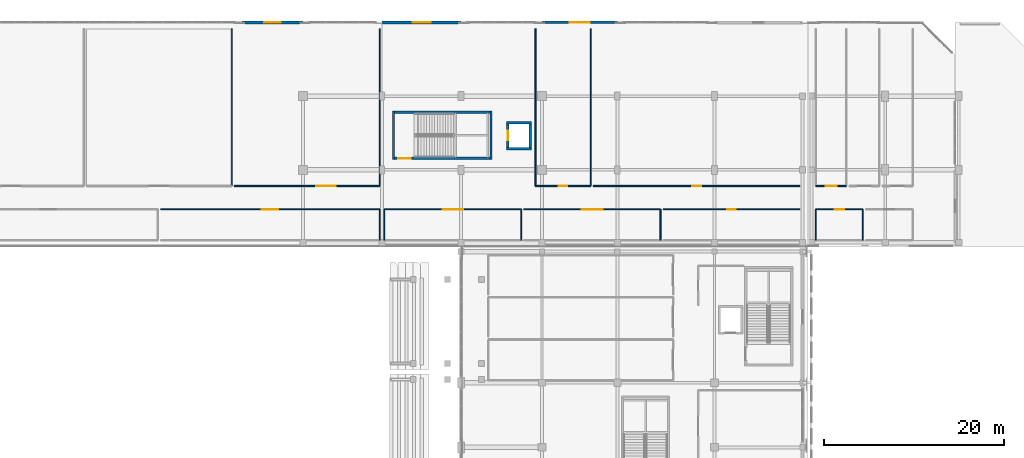
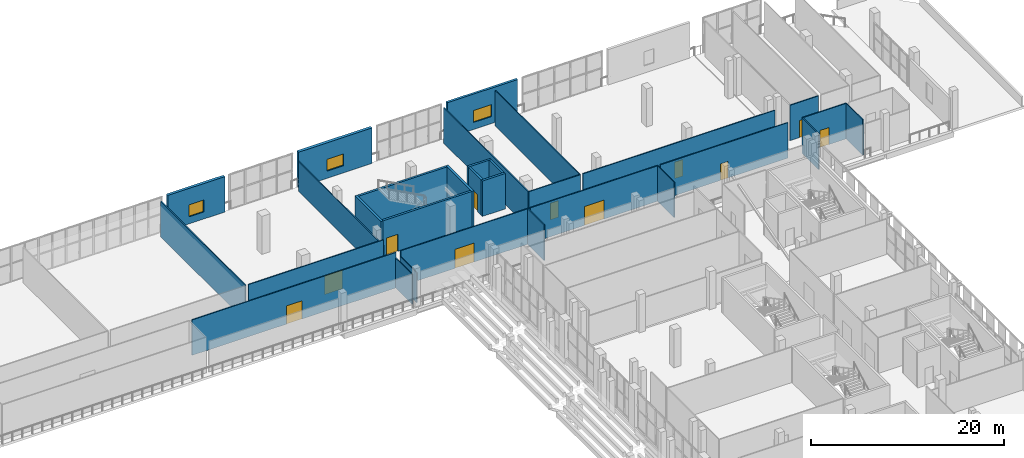
# One storey, part 104 of 142: 30 walls, 11 doors, 3 windows, 14 openings.
"""IFC4 building model written with IfcOpenShell, lengths in metres."""

from ifc_helpers import new_model, si_unit, direction, frame, frame_2d, origin, place, context, subcontext, project, spatial, rectangle, extrude, material, layer, layer_set, type_object, element, fill, save


model = new_model("IFC4")

# Units and contexts
model_context = context("Model", 3, precision=1e-05, world=origin(), true_north=direction((0.0, 1.0)))
body_context = subcontext(model_context, "Body", "Model", "MODEL_VIEW")
ifc_project = project(units=[si_unit("LENGTHUNIT", "METRE"), si_unit("AREAUNIT", "SQUARE_METRE"), si_unit("VOLUMEUNIT", "CUBIC_METRE"), si_unit("PLANEANGLEUNIT", "RADIAN"), si_unit("MASSUNIT", "GRAM", prefix="KILO")], contexts=[model_context])

# Site, building, storey
site_placement = place(None, origin())
site = spatial("IfcSite", under=ifc_project, at=site_placement, CompositionType="ELEMENT")
building_placement = place(site_placement, origin())
building = spatial("IfcBuilding", under=site, at=building_placement, Name="Koshinbarg Plaza Stadium", CompositionType="ELEMENT")
storey_placement = place(building_placement, frame((0.0, 0.0, 10.199951171875)))
storey = spatial("IfcBuildingStorey", under=building, at=storey_placement, Name="L02", CompositionType="ELEMENT", Elevation=10.199951171875)

# Walls
ifc_material_1 = material(Name="Concrete C40/50", Category="concrete")
ifc_layer_1 = layer(ifc_material_1, 0.25)
ifc_layer_set_1 = layer_set([ifc_layer_1], Name="Concrete C40/50")
wall_type_1 = type_object("IfcWallType", Name="WL-CORE-250", PredefinedType="SHEAR", material=ifc_layer_set_1)
for number, where, z_axis, x_axis, name in (
    (1, (172.875, 142.1201171875, 0.0), (0.0, 0.0, 1.0), (0.0, -1.0, 0.0), "L02 core stair shear wall C12-near IWL-L02-0282"),
    (2, (183.72509765625, 136.75, 0.0), (0.0, 0.0, 1.0), (0.0, 1.0, 0.0), "L02 core stair shear wall C12-far IWL-L02-0283"),
):
    element("IfcWall", number, at=place(storey_placement, frame(where, z_axis=z_axis, x_axis=x_axis)), inside=storey, type_object=wall_type_1, Name=name, PredefinedType="SHEAR", context=body_context, shape_type="SweptSolid", body=[
        extrude(rectangle(XDim=5.3701171875, YDim=0.25, at=frame_2d((2.68505859375, 0.0))), origin(), (0.0, 0.0, 1.0), 4.47998046875),
    ])
wall_1_placement = place(storey_placement, frame((172.875, 141.9951171875, 0.0), z_axis=(0.0, 0.0, 1.0), x_axis=(1.0, 0.0, 0.0)))
element("IfcWall", 3, at=wall_1_placement, inside=storey, type_object=wall_type_1, Name="L02 core stair shear wall C12-left IWL-L02-0284", PredefinedType="SHEAR", context=body_context, shape_type="SweptSolid", body=[
    extrude(rectangle(XDim=10.85009765625, YDim=0.25, at=frame_2d((5.425048828125, 0.0))), origin(), (0.0, 0.0, 1.0), 4.47998046875),
])

# Wall, opening, door
wall_2_placement = place(storey_placement, frame((172.875, 136.875, 0.0), z_axis=(0.0, 0.0, 1.0), x_axis=(1.0, 0.0, 0.0)))
wall_2 = element("IfcWall", 4, at=wall_2_placement, inside=storey, type_object=wall_type_1, Name="L02 core stair shear wall C12-right IWL-L02-0285", PredefinedType="SHEAR", context=body_context, shape_type="SweptSolid", body=[
    extrude(rectangle(XDim=10.85009765625, YDim=0.25, at=frame_2d((5.425048828125, 0.0))), origin(), (0.0, 0.0, 1.0), 4.47998046875),
])
opening_1_placement = place(wall_2_placement, frame((0.52001953125, 0.0, 0.0)))
opening_1 = element("IfcOpeningElement", 5, at=opening_1_placement, cuts=wall_2, Name="Opening D-0133", PredefinedType="OPENING", context=body_context, shape_type="SweptSolid", body=[
    extrude(rectangle(XDim=1.39990234375, YDim=2.14990234375, at=frame_2d((0.699951171875, 1.074951171875))), frame((0.0, 0.135009765625, 0.0), z_axis=(0.0, -1.0, 0.0), x_axis=(1.0, 0.0, 0.0)), (0.0, 0.0, 1.0), 0.27001953125),
])
ifc_material_2 = material(Name="Painted galvanized steel fire door", Category="steel")
door_type_1 = type_object("IfcDoorType", Name="DR-STAIR-1400", OperationType="NOTDEFINED", PredefinedType="DOOR", material=ifc_material_2)
door_1_placement = place(opening_1_placement, origin())
door_1 = element("IfcDoor", 6, at=door_1_placement, inside=storey, type_object=door_type_1, Name="L02 exit stair door C12", OperationType="SINGLE_SWING_LEFT", OverallHeight=2.14990234375, OverallWidth=1.39990234375, PredefinedType="DOOR", context=body_context, shape_type="SweptSolid", body=[
    extrude(rectangle(XDim=1.39990234375, YDim=2.14990234375, at=frame_2d((0.699951171875, 1.074951171875))), frame((0.0, 0.02490234375, 0.0), z_axis=(0.0, -1.0, 0.0), x_axis=(1.0, 0.0, 0.0)), (0.0, 0.0, 1.0), 0.050048828125),
])
fill(opening_1, door_1)

# Walls
for number, where, z_axis, x_axis, name in (
    (7, (185.47509765625, 137.949951171875, 0.0), (0.0, 0.0, 1.0), (1.0, 0.0, 0.0), "L02 lift shaft shear wall LP08-S IWL-L02-0982"),
    (8, (188.22509765625, 140.85009765625, 0.0), (0.0, 0.0, 1.0), (-1.0, 0.0, 0.0), "L02 lift shaft shear wall LP08-N IWL-L02-0983"),
):
    element("IfcWall", number, at=place(storey_placement, frame(where, z_axis=z_axis, x_axis=x_axis)), inside=storey, type_object=wall_type_1, Name=name, PredefinedType="SHEAR", context=body_context, shape_type="SweptSolid", body=[
        extrude(rectangle(XDim=2.75, YDim=0.25, at=frame_2d((1.375, 0.0))), origin(), (0.0, 0.0, 1.0), 4.47998046875),
    ])

# Wall, opening, door
wall_3_placement = place(storey_placement, frame((185.60009765625, 140.85009765625, 0.0), z_axis=(0.0, 0.0, 1.0), x_axis=(0.0, -1.0, 0.0)))
wall_3 = element("IfcWall", 9, at=wall_3_placement, inside=storey, type_object=wall_type_1, Name="L02 lift shaft shear wall LP08-W IWL-L02-0984", PredefinedType="SHEAR", context=body_context, shape_type="SweptSolid", body=[
    extrude(rectangle(XDim=2.900146484375, YDim=0.25, at=frame_2d((1.4501953125, 0.0))), origin(), (0.0, 0.0, 1.0), 4.47998046875),
])
opening_2_placement = place(wall_3_placement, frame((0.925048828125, 0.0, 0.0)))
opening_2 = element("IfcOpeningElement", 10, at=opening_2_placement, cuts=wall_3, Name="Opening D-0315", PredefinedType="OPENING", context=body_context, shape_type="SweptSolid", body=[
    extrude(rectangle(XDim=1.050048828125, YDim=2.14990234375, at=frame_2d((0.52490234375, 1.074951171875))), frame((0.0, 0.135009765625, 0.0), z_axis=(0.0, -1.0, 0.0), x_axis=(1.0, 0.0, 0.0)), (0.0, 0.0, 1.0), 0.27001953125),
])
ifc_material_3 = material(Name="Brushed stainless steel sliding lift landing door", Category="steel")
door_type_2 = type_object("IfcDoorType", Name="DR-LIFT-1050", OperationType="NOTDEFINED", PredefinedType="DOOR", material=ifc_material_3)
door_2_placement = place(opening_2_placement, origin())
door_2 = element("IfcDoor", 11, at=door_2_placement, inside=storey, type_object=door_type_2, Name="L02 lift landing door LP08", OperationType="SLIDING_TO_LEFT", OverallHeight=2.14990234375, OverallWidth=1.050048828125, PredefinedType="DOOR", context=body_context, shape_type="SweptSolid", body=[
    extrude(rectangle(XDim=1.050048828125, YDim=2.14990234375, at=frame_2d((0.52490234375, 1.074951171875))), frame((0.0, 0.02490234375, 0.0), z_axis=(0.0, -1.0, 0.0), x_axis=(1.0, 0.0, 0.0)), (0.0, 0.0, 1.0), 0.050048828125),
])
fill(opening_2, door_2)

# Wall
wall_4_placement = place(storey_placement, frame((188.10009765625, 137.949951171875, 0.0), z_axis=(0.0, 0.0, 1.0), x_axis=(0.0, 1.0, 0.0)))
element("IfcWall", 12, at=wall_4_placement, inside=storey, type_object=wall_type_1, Name="L02 lift shaft shear wall LP08-E IWL-L02-0985", PredefinedType="SHEAR", context=body_context, shape_type="SweptSolid", body=[
    extrude(rectangle(XDim=2.900146484375, YDim=0.25, at=frame_2d((1.4501953125, 0.0))), origin(), (0.0, 0.0, 1.0), 4.47998046875),
])

# Wall, opening, window
ifc_material_4 = material(Name="Terracotta-ochre mineral plaster insulated wall", Category="masonry")
ifc_layer_2 = layer(ifc_material_4, 0.280029296875)
ifc_layer_set_2 = layer_set([ifc_layer_2], Name="Terracotta-ochre mineral plaster insulated wall")
wall_type_2 = type_object("IfcWallType", Name="WL-EXT-280", PredefinedType="SOLIDWALL", material=ifc_layer_set_2)
wall_5_placement = place(storey_placement, frame((189.39990234375, 152.0, 0.0), z_axis=(0.0, 0.0, 1.0), x_axis=(1.0, 0.0, 0.0)))
wall_5 = element("IfcWall", 13, at=wall_5_placement, inside=storey, type_object=wall_type_2, Name="L02 exterior envelope wall EWL-L02-0124", PredefinedType="SOLIDWALL", context=body_context, shape_type="SweptSolid", body=[
    extrude(rectangle(XDim=8.400146484375, YDim=0.280029296875, at=frame_2d((4.2001953125, 0.0))), origin(), (0.0, 0.0, 1.0), 4.47998046875),
])
opening_3_placement = place(wall_5_placement, frame((3.10009765625, 0.0, 0.89990234375)))
opening_3 = element("IfcOpeningElement", 14, at=opening_3_placement, cuts=wall_5, Name="Opening WN06", PredefinedType="OPENING", context=body_context, shape_type="SweptSolid", body=[
    extrude(rectangle(XDim=2.199951171875, YDim=1.5, at=frame_2d((1.10009765625, 0.75))), frame((0.0, 0.14990234375, 0.0), z_axis=(0.0, -1.0, 0.0), x_axis=(1.0, 0.0, 0.0)), (0.0, 0.0, 1.0), 0.300048828125),
])
ifc_material_5 = material(Name="Solar-control double glazing in thermally broken aluminium frame", Category="aluminium")
window_type_1 = type_object("IfcWindowType", Name="WN-FAC-06", PartitioningType="DOUBLE_PANEL_VERTICAL", PredefinedType="WINDOW", material=ifc_material_5)
window_1_placement = place(opening_3_placement, origin())
window_1 = element("IfcWindow", 15, at=window_1_placement, inside=storey, type_object=window_type_1, Name="L02 facade window 0061", OverallHeight=1.5, OverallWidth=2.199951171875, PartitioningType="SINGLE_PANEL", PredefinedType="WINDOW", context=body_context, shape_type="SweptSolid", body=[
    extrude(rectangle(XDim=2.199951171875, YDim=1.5, at=frame_2d((1.10009765625, 0.75))), frame((0.0, 0.030029296875, 0.0), z_axis=(0.0, -1.0, 0.0), x_axis=(1.0, 0.0, 0.0)), (0.0, 0.0, 1.0), 0.06005859375),
])
fill(opening_3, window_1)

ifc_material_6 = material(Name="Ultramarine-blue pigmented mineral plaster facade wall", Category="masonry")
ifc_layer_3 = layer(ifc_material_6, 0.320068359375)
ifc_layer_set_3 = layer_set([ifc_layer_3], Name="Ultramarine-blue pigmented mineral plaster facade wall")
wall_type_3 = type_object("IfcWallType", Name="WL-EXT-320", PredefinedType="SOLIDWALL", material=ifc_layer_set_3)
wall_6_placement = place(storey_placement, frame((156.0, 152.0, 0.0), z_axis=(0.0, 0.0, 1.0), x_axis=(1.0, 0.0, 0.0)))
wall_6 = element("IfcWall", 16, at=wall_6_placement, inside=storey, type_object=wall_type_3, Name="L02 exterior envelope wall EWL-L02-0122", PredefinedType="SOLIDWALL", context=body_context, shape_type="SweptSolid", body=[
    extrude(rectangle(XDim=6.800048828125, YDim=0.320068359375, at=frame_2d((3.39990234375, 0.0))), origin(), (0.0, 0.0, 1.0), 4.47998046875),
])
opening_4_placement = place(wall_6_placement, frame((2.5, 0.0, 0.89990234375)))
opening_4 = element("IfcOpeningElement", 17, at=opening_4_placement, cuts=wall_6, Name="Opening WN04", PredefinedType="OPENING", context=body_context, shape_type="SweptSolid", body=[
    extrude(rectangle(XDim=1.800048828125, YDim=1.5, at=frame_2d((0.89990234375, 0.75))), frame((0.0, 0.169921875, 0.0), z_axis=(0.0, -1.0, 0.0), x_axis=(1.0, 0.0, 0.0)), (0.0, 0.0, 1.0), 0.340087890625),
])
window_type_2 = type_object("IfcWindowType", Name="WN-FAC-04", PartitioningType="DOUBLE_PANEL_VERTICAL", PredefinedType="WINDOW", material=ifc_material_5)
window_2_placement = place(opening_4_placement, origin())
window_2 = element("IfcWindow", 18, at=window_2_placement, inside=storey, type_object=window_type_2, Name="L02 facade window 0059", OverallHeight=1.5, OverallWidth=1.800048828125, PartitioningType="SINGLE_PANEL", PredefinedType="WINDOW", context=body_context, shape_type="SweptSolid", body=[
    extrude(rectangle(XDim=1.800048828125, YDim=1.5, at=frame_2d((0.89990234375, 0.75))), frame((0.0, 0.030029296875, 0.0), z_axis=(0.0, -1.0, 0.0), x_axis=(1.0, 0.0, 0.0)), (0.0, 0.0, 1.0), 0.06005859375),
])
fill(opening_4, window_2)

ifc_material_7 = material(Name="Acoustic insulated masonry stadium wall", Category="masonry")
ifc_layer_4 = layer(ifc_material_7, 0.35009765625)
ifc_layer_set_4 = layer_set([ifc_layer_4], Name="Acoustic insulated masonry stadium wall")
wall_type_4 = type_object("IfcWallType", Name="WL-EXT-350", PredefinedType="SOLIDWALL", material=ifc_layer_set_4)
wall_7_placement = place(storey_placement, frame((171.60009765625, 152.0, 0.0), z_axis=(0.0, 0.0, 1.0), x_axis=(1.0, 0.0, 0.0)))
wall_7 = element("IfcWall", 19, at=wall_7_placement, inside=storey, type_object=wall_type_4, Name="L02 exterior envelope wall EWL-L02-0123", PredefinedType="SOLIDWALL", context=body_context, shape_type="SweptSolid", body=[
    extrude(rectangle(XDim=8.7998046875, YDim=0.35009765625, at=frame_2d((4.39990234375, 0.0))), origin(), (0.0, 0.0, 1.0), 4.47998046875),
])
opening_5_placement = place(wall_7_placement, frame((3.39990234375, 0.0, 0.89990234375)))
opening_5 = element("IfcOpeningElement", 20, at=opening_5_placement, cuts=wall_7, Name="Opening WN05", PredefinedType="OPENING", context=body_context, shape_type="SweptSolid", body=[
    extrude(rectangle(XDim=2.0, YDim=1.5, at=frame_2d((1.0, 0.75))), frame((0.0, 0.18505859375, 0.0), z_axis=(0.0, -1.0, 0.0), x_axis=(1.0, 0.0, 0.0)), (0.0, 0.0, 1.0), 0.3701171875),
])
window_type_3 = type_object("IfcWindowType", Name="WN-FAC-05", PartitioningType="DOUBLE_PANEL_VERTICAL", PredefinedType="WINDOW", material=ifc_material_5)
window_3_placement = place(opening_5_placement, origin())
window_3 = element("IfcWindow", 21, at=window_3_placement, inside=storey, type_object=window_type_3, Name="L02 facade window 0060", OverallHeight=1.5, OverallWidth=2.0, PartitioningType="SINGLE_PANEL", PredefinedType="WINDOW", context=body_context, shape_type="SweptSolid", body=[
    extrude(rectangle(XDim=2.0, YDim=1.5, at=frame_2d((1.0, 0.75))), frame((0.0, 0.030029296875, 0.0), z_axis=(0.0, -1.0, 0.0), x_axis=(1.0, 0.0, 0.0)), (0.0, 0.0, 1.0), 0.06005859375),
])
fill(opening_5, window_3)

# Wall
ifc_material_8 = material(Name="Gypsum board metal-stud acoustic partition")
ifc_layer_5 = layer(ifc_material_8, 0.1201171875)
ifc_layer_set_5 = layer_set([ifc_layer_5], Name="Gypsum board metal-stud acoustic partition")
wall_type_5 = type_object("IfcWallType", Name="WL-PART-120", PredefinedType="PARTITIONING", material=ifc_layer_set_5)
wall_8_placement = place(storey_placement, frame((171.330078125, 127.7451171875, 0.0), z_axis=(0.0, 0.0, 1.0), x_axis=(0.0, 1.0, 0.0)))
element("IfcWall", 22, at=wall_8_placement, inside=storey, type_object=wall_type_5, Name="L02 interior partition L02-113-east IWL-L02-1773", PredefinedType="PARTITIONING", context=body_context, shape_type="SweptSolid", body=[
    extrude(rectangle(XDim=3.454833984375, YDim=0.1201171875, at=frame_2d((1.7275390625, 0.0))), origin(), (0.0, 0.0, 1.0), 3.760009765625),
])

# Wall, opening, door
wall_9_placement = place(storey_placement, frame((171.330078125, 131.199951171875, 0.0), z_axis=(0.0, 0.0, 1.0), x_axis=(-1.0, 0.0, 0.0)))
wall_9 = element("IfcWall", 23, at=wall_9_placement, inside=storey, type_object=wall_type_5, Name="L02 interior partition L02-113-north IWL-L02-1774", PredefinedType="PARTITIONING", context=body_context, shape_type="SweptSolid", body=[
    extrude(rectangle(XDim=24.380126953125, YDim=0.1201171875, at=frame_2d((12.18994140625, 0.0))), origin(), (0.0, 0.0, 1.0), 4.47998046875),
])
opening_6_placement = place(wall_9_placement, frame((11.260009765625, 0.0, 0.0)))
opening_6 = element("IfcOpeningElement", 24, at=opening_6_placement, cuts=wall_9, Name="Opening D-0600", PredefinedType="OPENING", context=body_context, shape_type="SweptSolid", body=[
    extrude(rectangle(XDim=1.860107421875, YDim=2.300048828125, at=frame_2d((0.93017578125, 1.14990234375))), frame((0.0, 0.070068359375, 0.0), z_axis=(0.0, -1.0, 0.0), x_axis=(1.0, 0.0, 0.0)), (0.0, 0.0, 1.0), 0.14013671875),
])
ifc_material_9 = material(Name="Acoustic solid-core walnut veneer fire door")
door_type_3 = type_object("IfcDoorType", Name="DR-INT-1860x2300", OperationType="NOTDEFINED", PredefinedType="DOOR", material=ifc_material_9)
door_3_placement = place(opening_6_placement, origin())
door_3 = element("IfcDoor", 25, at=door_3_placement, inside=storey, type_object=door_type_3, Name="L02 Olympic Medal Salon door D-0600", OperationType="DOUBLE_DOOR_SINGLE_SWING", OverallHeight=2.300048828125, OverallWidth=1.860107421875, PredefinedType="DOOR", context=body_context, shape_type="SweptSolid", body=[
    extrude(rectangle(XDim=1.860107421875, YDim=2.300048828125, at=frame_2d((0.93017578125, 1.14990234375))), frame((0.0, 0.02490234375, 0.0), z_axis=(0.0, -1.0, 0.0), x_axis=(1.0, 0.0, 0.0)), (0.0, 0.0, 1.0), 0.050048828125),
])
fill(opening_6, door_3)

# Wall
wall_10_placement = place(storey_placement, frame((154.876708984375, 133.800048828125, 0.0), z_axis=(0.0, 0.0, 1.0), x_axis=(0.0, 1.0, 0.0)))
element("IfcWall", 26, at=wall_10_placement, inside=storey, type_object=wall_type_5, Name="L02 interior partition L02-115-east IWL-L02-1779", PredefinedType="PARTITIONING", context=body_context, shape_type="SweptSolid", body=[
    extrude(rectangle(XDim=17.5, YDim=0.1201171875, at=frame_2d((8.75, 0.0))), origin(), (0.0, 0.0, 1.0), 4.47998046875),
])

# Wall, opening, door
wall_11_placement = place(storey_placement, frame((155.1767578125, 133.800048828125, 0.0), z_axis=(0.0, 0.0, 1.0), x_axis=(1.0, 0.0, 0.0)))
wall_11 = element("IfcWall", 27, at=wall_11_placement, inside=storey, type_object=wall_type_5, Name="L02 interior partition L02-116-south IWL-L02-1780", PredefinedType="PARTITIONING", context=body_context, shape_type="SweptSolid", body=[
    extrude(rectangle(XDim=16.1533203125, YDim=0.1201171875, at=frame_2d((8.07666015625, 0.0))), origin(), (0.0, 0.0, 1.0), 4.47998046875),
])
opening_7_placement = place(wall_11_placement, frame((9.12353515625, 0.0, 0.0)))
opening_7 = element("IfcOpeningElement", 28, at=opening_7_placement, cuts=wall_11, Name="Opening D-0603", PredefinedType="OPENING", context=body_context, shape_type="SweptSolid", body=[
    extrude(rectangle(XDim=2.159912109375, YDim=2.35009765625, at=frame_2d((1.080078125, 1.175048828125))), frame((0.0, 0.070068359375, 0.0), z_axis=(0.0, -1.0, 0.0), x_axis=(1.0, 0.0, 0.0)), (0.0, 0.0, 1.0), 0.14013671875),
])
ifc_material_10 = material(Name="Galvanized painted steel double leaf door", Category="steel")
door_type_4 = type_object("IfcDoorType", Name="DR-INT-2160x2350", OperationType="NOTDEFINED", PredefinedType="DOOR", material=ifc_material_10)
door_4_placement = place(opening_7_placement, origin())
door_4 = element("IfcDoor", 29, at=door_4_placement, inside=storey, type_object=door_type_4, Name="L02 North Club Lounge door D-0603", OperationType="DOUBLE_DOOR_SINGLE_SWING", OverallHeight=2.35009765625, OverallWidth=2.159912109375, PredefinedType="DOOR", context=body_context, shape_type="SweptSolid", body=[
    extrude(rectangle(XDim=2.159912109375, YDim=2.35009765625, at=frame_2d((1.080078125, 1.175048828125))), frame((0.0, 0.02490234375, 0.0), z_axis=(0.0, -1.0, 0.0), x_axis=(1.0, 0.0, 0.0)), (0.0, 0.0, 1.0), 0.050048828125),
])
fill(opening_7, door_4)

# Walls
wall_12_placement = place(storey_placement, frame((171.330078125, 133.800048828125, 0.0), z_axis=(0.0, 0.0, 1.0), x_axis=(0.0, 1.0, 0.0)))
element("IfcWall", 30, at=wall_12_placement, inside=storey, type_object=wall_type_5, Name="L02 interior partition L02-116-east IWL-L02-1781", PredefinedType="PARTITIONING", context=body_context, shape_type="SweptSolid", body=[
    extrude(rectangle(XDim=17.5, YDim=0.1201171875, at=frame_2d((8.75, 0.0))), origin(), (0.0, 0.0, 1.0), 3.760009765625),
])
wall_13_placement = place(storey_placement, frame((187.081787109375, 127.7451171875, 0.0), z_axis=(0.0, 0.0, 1.0), x_axis=(0.0, 1.0, 0.0)))
element("IfcWall", 31, at=wall_13_placement, inside=storey, type_object=wall_type_5, Name="L02 interior partition L02-117-east IWL-L02-1783", PredefinedType="PARTITIONING", context=body_context, shape_type="SweptSolid", body=[
    extrude(rectangle(XDim=3.454833984375, YDim=0.1201171875, at=frame_2d((1.7275390625, 0.0))), origin(), (0.0, 0.0, 1.0), 4.47998046875),
])

# Wall, opening, door
wall_14_placement = place(storey_placement, frame((187.081787109375, 131.199951171875, 0.0), z_axis=(0.0, 0.0, 1.0), x_axis=(-1.0, 0.0, 0.0)))
wall_14 = element("IfcWall", 32, at=wall_14_placement, inside=storey, type_object=wall_type_5, Name="L02 interior partition L02-117-north IWL-L02-1784", PredefinedType="PARTITIONING", context=body_context, shape_type="SweptSolid", body=[
    extrude(rectangle(XDim=15.211669921875, YDim=0.1201171875, at=frame_2d((7.60595703125, 0.0))), origin(), (0.0, 0.0, 1.0), 4.47998046875),
])
opening_8_placement = place(wall_14_placement, frame((6.4658203125, 0.0, 0.0)))
opening_8 = element("IfcOpeningElement", 33, at=opening_8_placement, cuts=wall_14, Name="Opening D-0604", PredefinedType="OPENING", context=body_context, shape_type="SweptSolid", body=[
    extrude(rectangle(XDim=2.280029296875, YDim=2.39990234375, at=frame_2d((1.14013671875, 1.199951171875))), frame((0.0, 0.070068359375, 0.0), z_axis=(0.0, -1.0, 0.0), x_axis=(1.0, 0.0, 0.0)), (0.0, 0.0, 1.0), 0.14013671875),
])
ifc_material_11 = material(Name="Anodised aluminium and laminated glass portal door", Category="aluminium")
door_type_5 = type_object("IfcDoorType", Name="DR-INT-2280x2400", OperationType="NOTDEFINED", PredefinedType="DOOR", material=ifc_material_11)
door_5_placement = place(opening_8_placement, origin())
door_5 = element("IfcDoor", 34, at=door_5_placement, inside=storey, type_object=door_type_5, Name="L02 Olympic Medal Salon door D-0604", OperationType="DOUBLE_DOOR_SINGLE_SWING", OverallHeight=2.39990234375, OverallWidth=2.280029296875, PredefinedType="DOOR", context=body_context, shape_type="SweptSolid", body=[
    extrude(rectangle(XDim=2.280029296875, YDim=2.39990234375, at=frame_2d((1.14013671875, 1.199951171875))), frame((0.0, 0.02490234375, 0.0), z_axis=(0.0, -1.0, 0.0), x_axis=(1.0, 0.0, 0.0)), (0.0, 0.0, 1.0), 0.050048828125),
])
fill(opening_8, door_5)

# Walls
wall_15_placement = place(storey_placement, frame((171.8701171875, 131.199951171875, 0.0), z_axis=(0.0, 0.0, 1.0), x_axis=(0.0, -1.0, 0.0)))
element("IfcWall", 35, at=wall_15_placement, inside=storey, type_object=wall_type_5, Name="L02 interior partition L02-117-west IWL-L02-1785", PredefinedType="PARTITIONING", context=body_context, shape_type="SweptSolid", body=[
    extrude(rectangle(XDim=3.454833984375, YDim=0.1201171875, at=frame_2d((1.7275390625, 0.0))), origin(), (0.0, 0.0, 1.0), 3.760009765625),
])
wall_16_placement = place(storey_placement, frame((202.59326171875, 127.7451171875, 0.0), z_axis=(0.0, 0.0, 1.0), x_axis=(0.0, 1.0, 0.0)))
element("IfcWall", 36, at=wall_16_placement, inside=storey, type_object=wall_type_5, Name="L02 interior partition L02-118-east IWL-L02-1787", PredefinedType="PARTITIONING", context=body_context, shape_type="SweptSolid", body=[
    extrude(rectangle(XDim=3.454833984375, YDim=0.1201171875, at=frame_2d((1.7275390625, 0.0))), origin(), (0.0, 0.0, 1.0), 4.47998046875),
])

# Wall, opening, door
wall_17_placement = place(storey_placement, frame((202.59326171875, 131.199951171875, 0.0), z_axis=(0.0, 0.0, 1.0), x_axis=(-1.0, 0.0, 0.0)))
wall_17 = element("IfcWall", 37, at=wall_17_placement, inside=storey, type_object=wall_type_5, Name="L02 interior partition L02-118-north IWL-L02-1788", PredefinedType="PARTITIONING", context=body_context, shape_type="SweptSolid", body=[
    extrude(rectangle(XDim=15.211669921875, YDim=0.1201171875, at=frame_2d((7.60595703125, 0.0))), origin(), (0.0, 0.0, 1.0), 4.47998046875),
])
opening_9_placement = place(wall_17_placement, frame((6.42578125, 0.0, 0.0)))
opening_9 = element("IfcOpeningElement", 38, at=opening_9_placement, cuts=wall_17, Name="Opening D-0605", PredefinedType="OPENING", context=body_context, shape_type="SweptSolid", body=[
    extrude(rectangle(XDim=2.360107421875, YDim=2.39990234375, at=frame_2d((1.18017578125, 1.199951171875))), frame((0.0, 0.070068359375, 0.0), z_axis=(0.0, -1.0, 0.0), x_axis=(1.0, 0.0, 0.0)), (0.0, 0.0, 1.0), 0.14013671875),
])
ifc_material_12 = material(Name="Powder-coated steel and tempered glass double door", Category="steel")
door_type_6 = type_object("IfcDoorType", Name="DR-INT-2360x2400", OperationType="NOTDEFINED", PredefinedType="DOOR", material=ifc_material_12)
door_6_placement = place(opening_9_placement, origin())
door_6 = element("IfcDoor", 39, at=door_6_placement, inside=storey, type_object=door_type_6, Name="L02 Tashkent Sporting Archive Hall door D-0605", OperationType="DOUBLE_DOOR_SINGLE_SWING", OverallHeight=2.39990234375, OverallWidth=2.360107421875, PredefinedType="DOOR", context=body_context, shape_type="SweptSolid", body=[
    extrude(rectangle(XDim=2.360107421875, YDim=2.39990234375, at=frame_2d((1.18017578125, 1.199951171875))), frame((0.0, 0.02490234375, 0.0), z_axis=(0.0, -1.0, 0.0), x_axis=(1.0, 0.0, 0.0)), (0.0, 0.0, 1.0), 0.050048828125),
])
fill(opening_9, door_6)

wall_18_placement = place(storey_placement, frame((218.10498046875, 131.199951171875, 0.0), z_axis=(0.0, 0.0, 1.0), x_axis=(-1.0, 0.0, 0.0)))
wall_18 = element("IfcWall", 40, at=wall_18_placement, inside=storey, type_object=wall_type_5, Name="L02 interior partition L02-119-north IWL-L02-1790", PredefinedType="PARTITIONING", context=body_context, shape_type="SweptSolid", body=[
    extrude(rectangle(XDim=15.211669921875, YDim=0.1201171875, at=frame_2d((7.60595703125, 0.0))), origin(), (0.0, 0.0, 1.0), 4.47998046875),
])
opening_10_placement = place(wall_18_placement, frame((7.145751953125, 0.0, 0.0)))
opening_10 = element("IfcOpeningElement", 41, at=opening_10_placement, cuts=wall_18, Name="Opening D-0606", PredefinedType="OPENING", context=body_context, shape_type="SweptSolid", body=[
    extrude(rectangle(XDim=0.919921875, YDim=2.10009765625, at=frame_2d((0.4599609375, 1.050048828125))), frame((0.0, 0.070068359375, 0.0), z_axis=(0.0, -1.0, 0.0), x_axis=(1.0, 0.0, 0.0)), (0.0, 0.0, 1.0), 0.14013671875),
])
ifc_material_13 = material(Name="Solid-core oak veneer acoustic door")
door_type_7 = type_object("IfcDoorType", Name="DR-INT-0920x2100", OperationType="NOTDEFINED", PredefinedType="DOOR", material=ifc_material_13)
door_7_placement = place(opening_10_placement, origin())
door_7 = element("IfcDoor", 42, at=door_7_placement, inside=storey, type_object=door_type_7, Name="L02 North Club Lounge door D-0606", OperationType="SINGLE_SWING_RIGHT", OverallHeight=2.10009765625, OverallWidth=0.919921875, PredefinedType="DOOR", context=body_context, shape_type="SweptSolid", body=[
    extrude(rectangle(XDim=0.919921875, YDim=2.10009765625, at=frame_2d((0.4599609375, 1.050048828125))), frame((0.0, 0.02490234375, 0.0), z_axis=(0.0, -1.0, 0.0), x_axis=(1.0, 0.0, 0.0)), (0.0, 0.0, 1.0), 0.050048828125),
])
fill(opening_10, door_7)

wall_19_placement = place(storey_placement, frame((188.679931640625, 133.800048828125, 0.0), z_axis=(0.0, 0.0, 1.0), x_axis=(1.0, 0.0, 0.0)))
wall_19 = element("IfcWall", 43, at=wall_19_placement, inside=storey, type_object=wall_type_5, Name="L02 interior partition L02-120-south IWL-L02-1791", PredefinedType="PARTITIONING", context=body_context, shape_type="SweptSolid", body=[
    extrude(rectangle(XDim=6.157470703125, YDim=0.1201171875, at=frame_2d((3.07861328125, 0.0))), origin(), (0.0, 0.0, 1.0), 4.47998046875),
])
opening_11_placement = place(wall_19_placement, frame((2.5986328125, 0.0, 0.0)))
opening_11 = element("IfcOpeningElement", 44, at=opening_11_placement, cuts=wall_19, Name="Opening D-0607", PredefinedType="OPENING", context=body_context, shape_type="SweptSolid", body=[
    extrude(rectangle(XDim=0.9599609375, YDim=2.10009765625, at=frame_2d((0.47998046875, 1.050048828125))), frame((0.0, 0.070068359375, 0.0), z_axis=(0.0, -1.0, 0.0), x_axis=(1.0, 0.0, 0.0)), (0.0, 0.0, 1.0), 0.14013671875),
])
door_type_8 = type_object("IfcDoorType", Name="DR-INT-0960x2100", OperationType="NOTDEFINED", PredefinedType="DOOR", material=ifc_material_13)
door_8_placement = place(opening_11_placement, origin())
door_8 = element("IfcDoor", 45, at=door_8_placement, inside=storey, type_object=door_type_8, Name="L02 Tashkent Sporting Archive Hall door D-0607", OperationType="SINGLE_SWING_LEFT", OverallHeight=2.10009765625, OverallWidth=0.9599609375, PredefinedType="DOOR", context=body_context, shape_type="SweptSolid", body=[
    extrude(rectangle(XDim=0.9599609375, YDim=2.10009765625, at=frame_2d((0.47998046875, 1.050048828125))), frame((0.0, 0.02490234375, 0.0), z_axis=(0.0, -1.0, 0.0), x_axis=(1.0, 0.0, 0.0)), (0.0, 0.0, 1.0), 0.050048828125),
])
fill(opening_11, door_8)

# Walls
for number, where, z_axis, x_axis, name in (
    (46, (194.83740234375, 133.800048828125, 0.0), (0.0, 0.0, 1.0), (0.0, 1.0, 0.0), "L02 interior partition L02-120-east IWL-L02-1792"),
    (47, (188.679931640625, 151.300048828125, 0.0), (0.0, 0.0, 1.0), (0.0, -1.0, 0.0), "L02 interior partition L02-120-west IWL-L02-1793"),
):
    element("IfcWall", number, at=place(storey_placement, frame(where, z_axis=z_axis, x_axis=x_axis)), inside=storey, type_object=wall_type_5, Name=name, PredefinedType="PARTITIONING", context=body_context, shape_type="SweptSolid", body=[
        extrude(rectangle(XDim=17.5, YDim=0.1201171875, at=frame_2d((8.75, 0.0))), origin(), (0.0, 0.0, 1.0), 4.47998046875),
    ])

# Wall, opening, door
wall_20_placement = place(storey_placement, frame((195.137451171875, 133.800048828125, 0.0), z_axis=(0.0, 0.0, 1.0), x_axis=(1.0, 0.0, 0.0)))
wall_20 = element("IfcWall", 48, at=wall_20_placement, inside=storey, type_object=wall_type_5, Name="L02 interior partition L02-121-south IWL-L02-1794", PredefinedType="PARTITIONING", context=body_context, shape_type="SweptSolid", body=[
    extrude(rectangle(XDim=22.967529296875, YDim=0.1201171875, at=frame_2d((11.48388671875, 0.0))), origin(), (0.0, 0.0, 1.0), 4.47998046875),
])
opening_12_placement = place(wall_20_placement, frame((10.98388671875, 0.0, 0.0)))
opening_12 = element("IfcOpeningElement", 49, at=opening_12_placement, cuts=wall_20, Name="Opening D-0608", PredefinedType="OPENING", context=body_context, shape_type="SweptSolid", body=[
    extrude(rectangle(XDim=1.0, YDim=2.10009765625, at=frame_2d((0.5, 1.050048828125))), frame((0.0, 0.070068359375, 0.0), z_axis=(0.0, -1.0, 0.0), x_axis=(1.0, 0.0, 0.0)), (0.0, 0.0, 1.0), 0.14013671875),
])
ifc_material_14 = material(Name="Solid-core laminate accessible WC door")
door_type_9 = type_object("IfcDoorType", Name="DR-INT-1000x2100", OperationType="NOTDEFINED", PredefinedType="DOOR", material=ifc_material_14)
door_9_placement = place(opening_12_placement, origin())
door_9 = element("IfcDoor", 50, at=door_9_placement, inside=storey, type_object=door_type_9, Name="L02 North Club Lounge door D-0608", OperationType="SINGLE_SWING_RIGHT", OverallHeight=2.10009765625, OverallWidth=1.0, PredefinedType="DOOR", context=body_context, shape_type="SweptSolid", body=[
    extrude(rectangle(XDim=1.0, YDim=2.10009765625, at=frame_2d((0.5, 1.050048828125))), frame((0.0, 0.02490234375, 0.0), z_axis=(0.0, -1.0, 0.0), x_axis=(1.0, 0.0, 0.0)), (0.0, 0.0, 1.0), 0.050048828125),
])
fill(opening_12, door_9)

# Wall
wall_21_placement = place(storey_placement, frame((225.12255859375, 127.7451171875, 0.0), z_axis=(0.0, 0.0, 1.0), x_axis=(0.0, 1.0, 0.0)))
element("IfcWall", 51, at=wall_21_placement, inside=storey, type_object=wall_type_5, Name="L02 interior partition L02-122-east IWL-L02-1796", PredefinedType="PARTITIONING", context=body_context, shape_type="SweptSolid", body=[
    extrude(rectangle(XDim=3.454833984375, YDim=0.1201171875, at=frame_2d((1.7275390625, 0.0))), origin(), (0.0, 0.0, 1.0), 4.47998046875),
])

# Wall, opening, door
wall_22_placement = place(storey_placement, frame((225.12255859375, 131.199951171875, 0.0), z_axis=(0.0, 0.0, 1.0), x_axis=(-1.0, 0.0, 0.0)))
wall_22 = element("IfcWall", 52, at=wall_22_placement, inside=storey, type_object=wall_type_5, Name="L02 interior partition L02-122-north IWL-L02-1797", PredefinedType="PARTITIONING", context=body_context, shape_type="SweptSolid", body=[
    extrude(rectangle(XDim=5.2275390625, YDim=0.1201171875, at=frame_2d((2.61376953125, 0.0))), origin(), (0.0, 0.0, 1.0), 4.47998046875),
])
opening_13_placement = place(wall_22_placement, frame((2.088623046875, 0.0, 0.0)))
opening_13 = element("IfcOpeningElement", 53, at=opening_13_placement, cuts=wall_22, Name="Opening D-0609", PredefinedType="OPENING", context=body_context, shape_type="SweptSolid", body=[
    extrude(rectangle(XDim=1.050048828125, YDim=2.14990234375, at=frame_2d((0.52490234375, 1.074951171875))), frame((0.0, 0.070068359375, 0.0), z_axis=(0.0, -1.0, 0.0), x_axis=(1.0, 0.0, 0.0)), (0.0, 0.0, 1.0), 0.14013671875),
])
ifc_material_15 = material(Name="Solid-core oak suite entrance door")
door_type_10 = type_object("IfcDoorType", Name="DR-INT-1050x2150", OperationType="NOTDEFINED", PredefinedType="DOOR", material=ifc_material_15)
door_10_placement = place(opening_13_placement, origin())
door_10 = element("IfcDoor", 54, at=door_10_placement, inside=storey, type_object=door_type_10, Name="L02 Tashkent Sporting Archive Hall door D-0609", OperationType="SINGLE_SWING_LEFT", OverallHeight=2.14990234375, OverallWidth=1.050048828125, PredefinedType="DOOR", context=body_context, shape_type="SweptSolid", body=[
    extrude(rectangle(XDim=1.050048828125, YDim=2.14990234375, at=frame_2d((0.52490234375, 1.074951171875))), frame((0.0, 0.02490234375, 0.0), z_axis=(0.0, -1.0, 0.0), x_axis=(1.0, 0.0, 0.0)), (0.0, 0.0, 1.0), 0.050048828125),
])
fill(opening_13, door_10)

# Wall
wall_23_placement = place(storey_placement, frame((219.89501953125, 131.199951171875, 0.0), z_axis=(0.0, 0.0, 1.0), x_axis=(0.0, -1.0, 0.0)))
element("IfcWall", 55, at=wall_23_placement, inside=storey, type_object=wall_type_5, Name="L02 interior partition L02-122-west IWL-L02-1798", PredefinedType="PARTITIONING", context=body_context, shape_type="SweptSolid", body=[
    extrude(rectangle(XDim=3.454833984375, YDim=0.1201171875, at=frame_2d((1.7275390625, 0.0))), origin(), (0.0, 0.0, 1.0), 4.47998046875),
])

# Wall, opening, door
wall_24_placement = place(storey_placement, frame((219.89501953125, 133.800048828125, 0.0), z_axis=(0.0, 0.0, 1.0), x_axis=(1.0, 0.0, 0.0)))
wall_24 = element("IfcWall", 56, at=wall_24_placement, inside=storey, type_object=wall_type_5, Name="L02 interior partition L02-124-south IWL-L02-1802", PredefinedType="PARTITIONING", context=body_context, shape_type="SweptSolid", body=[
    extrude(rectangle(XDim=3.385009765625, YDim=0.1201171875, at=frame_2d((1.6923828125, 0.0))), origin(), (0.0, 0.0, 1.0), 4.47998046875),
])
opening_14_placement = place(wall_24_placement, frame((1.092529296875, 0.0, 0.0)))
opening_14 = element("IfcOpeningElement", 57, at=opening_14_placement, cuts=wall_24, Name="Opening D-0611", PredefinedType="OPENING", context=body_context, shape_type="SweptSolid", body=[
    extrude(rectangle(XDim=1.199951171875, YDim=2.14990234375, at=frame_2d((0.60009765625, 1.074951171875))), frame((0.0, 0.070068359375, 0.0), z_axis=(0.0, -1.0, 0.0), x_axis=(1.0, 0.0, 0.0)), (0.0, 0.0, 1.0), 0.14013671875),
])
ifc_material_16 = material(Name="Solid-core hardwood leaf in painted steel frame", Category="steel")
door_type_11 = type_object("IfcDoorType", Name="DR-INT-1200x2150", OperationType="NOTDEFINED", PredefinedType="DOOR", material=ifc_material_16)
door_11_placement = place(opening_14_placement, origin())
door_11 = element("IfcDoor", 58, at=door_11_placement, inside=storey, type_object=door_type_11, Name="L02 North Club Lounge door D-0611", OperationType="SINGLE_SWING_LEFT", OverallHeight=2.14990234375, OverallWidth=1.199951171875, PredefinedType="DOOR", context=body_context, shape_type="SweptSolid", body=[
    extrude(rectangle(XDim=1.199951171875, YDim=2.14990234375, at=frame_2d((0.60009765625, 1.074951171875))), frame((0.0, 0.02490234375, 0.0), z_axis=(0.0, -1.0, 0.0), x_axis=(1.0, 0.0, 0.0)), (0.0, 0.0, 1.0), 0.050048828125),
])
fill(opening_14, door_11)

save(model, "model.ifc")
